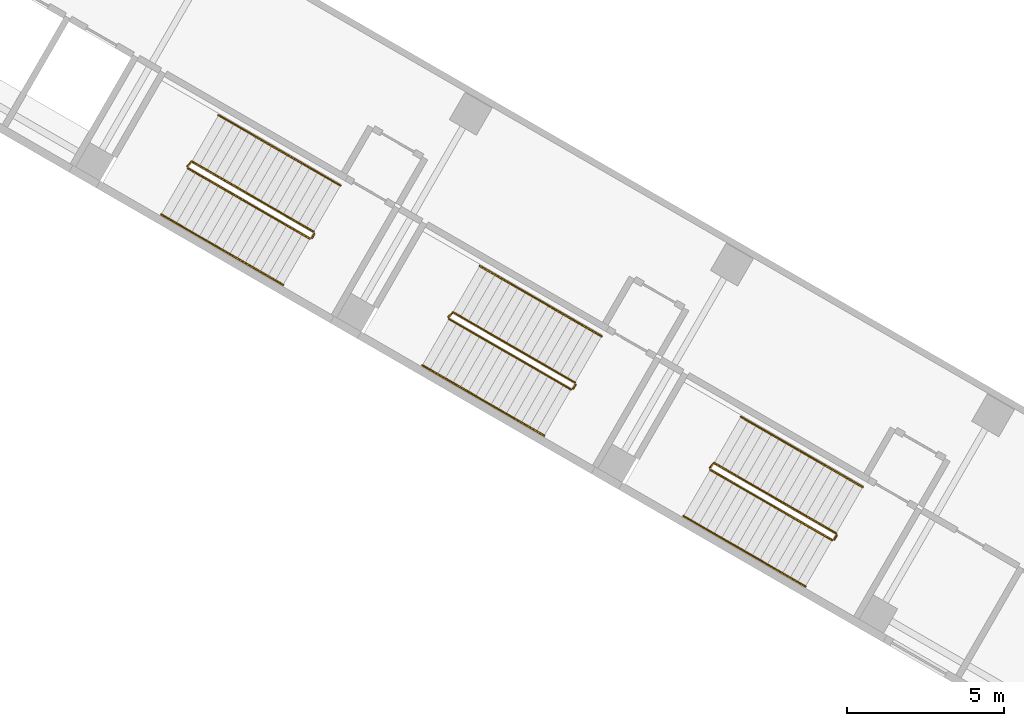
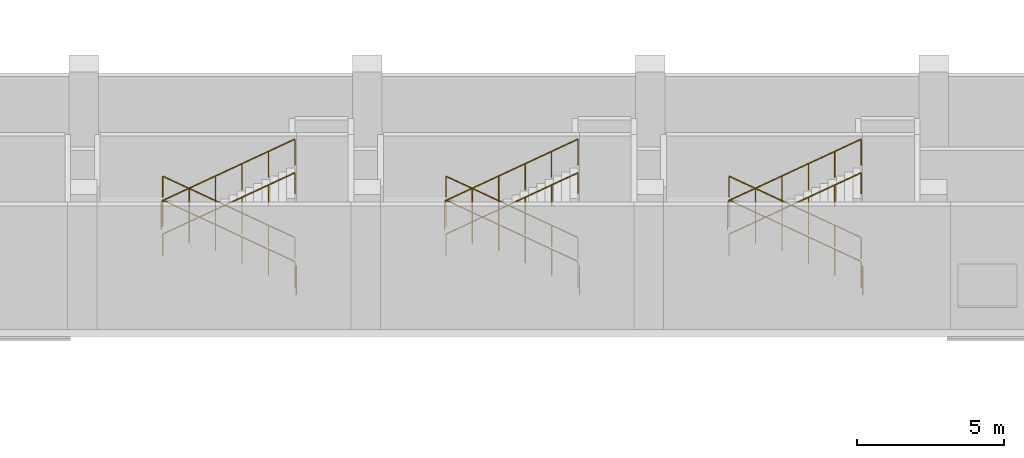
# One storey, part 26 of 35: 15 railings.
"""IFC4 building model written with IfcOpenShell, lengths in metres."""

from ifc_helpers import new_model, si_unit, direction, frame, origin, origin_2d, place, context, subcontext, project, spatial, circle, extrude, material, type_object, element, save


model = new_model("IFC4")

# Units and contexts
model_context = context("Model", 3, precision=1e-05, world=origin(), true_north=direction((0.0, 1.0)))
body_context = subcontext(model_context, "Body", "Model", "MODEL_VIEW")
ifc_project = project(units=[si_unit("LENGTHUNIT", "METRE"), si_unit("AREAUNIT", "SQUARE_METRE"), si_unit("VOLUMEUNIT", "CUBIC_METRE"), si_unit("PLANEANGLEUNIT", "RADIAN"), si_unit("MASSUNIT", "GRAM", prefix="KILO")], contexts=[model_context])

# Site, building, storey
site_placement = place(None, origin())
site = spatial("IfcSite", under=ifc_project, at=site_placement, CompositionType="ELEMENT")
building_placement = place(site_placement, origin())
building = spatial("IfcBuilding", under=site, at=building_placement, Name="Mestral Congress Tower", CompositionType="ELEMENT")
storey_placement = place(building_placement, frame((0.0, 0.0, 6.0)))
storey = spatial("IfcBuildingStorey", under=building, at=storey_placement, Name="L01", CompositionType="ELEMENT", Elevation=6.0)

# Railings
ifc_material_1 = material(Name="Steel balustrade", Category="steel")
railing_type_1 = type_object("IfcRailingType", Name="Podium stair guard 1100", PredefinedType="GUARDRAIL", material=ifc_material_1)
railing_1_placement = place(storey_placement, frame((-51.764892578125, -13.703369140625, 0.158935546875)))
element("IfcRailing", 1, at=railing_1_placement, inside=storey, type_object=railing_type_1, Name="L01 PS-W4 stair guard 1", PredefinedType="GUARDRAIL", context=body_context, shape_type="SweptSolid", body=[
    extrude(circle(Radius=0.02392578125, at=origin_2d()), frame((0.0, 0.0, 1.076171875), z_axis=(-0.753299937478, 0.434906048726, 0.493351733531), x_axis=(-0.499989762656, -0.866031314237, 0.0)), (0.0, 0.0, 1.0), 5.150634765625),
    extrude(circle(Radius=0.02392578125, at=origin_2d()), frame((-3.8798828125, 2.239990234375, 3.6171875), z_axis=(-0.695164929852, -0.718850276695, 0.0), x_axis=(0.718850276695, -0.695164929852, 0.0)), (0.0, 0.0, 1.0), 0.2060546875),
    extrude(circle(Radius=0.02099609375, at=origin_2d()), origin(), (0.0, 0.0, 1.0), 1.052001953125),
    extrude(circle(Radius=0.02099609375, at=origin_2d()), frame((-0.77587890625, 0.447998046875, 0.50830078125)), (0.0, 0.0, 1.0), 1.052001953125),
    extrude(circle(Radius=0.02099609375, at=origin_2d()), frame((-1.552001953125, 0.89599609375, 1.016357421875)), (0.0, 0.0, 1.0), 1.052001953125),
    extrude(circle(Radius=0.02099609375, at=origin_2d()), frame((-2.327880859375, 1.343994140625, 1.524658203125)), (0.0, 0.0, 1.0), 1.052001953125),
    extrude(circle(Radius=0.02099609375, at=origin_2d()), frame((-3.10400390625, 1.7919921875, 2.03271484375)), (0.0, 0.0, 1.0), 1.052001953125),
    extrude(circle(Radius=0.02099609375, at=origin_2d()), frame((-3.8798828125, 2.239990234375, 2.541015625)), (0.0, 0.0, 1.0), 1.052001953125),
    extrude(circle(Radius=0.02099609375, at=origin_2d()), frame((-4.023193359375, 2.091796875, 2.541015625)), (0.0, 0.0, 1.0), 1.052001953125),
])
railing_2_placement = place(storey_placement, frame((-55.769775390625, -11.679931640625, 2.85888671875)))
element("IfcRailing", 2, at=railing_2_placement, inside=storey, type_object=railing_type_1, Name="L01 PS-W4 stair guard 2", PredefinedType="GUARDRAIL", context=body_context, shape_type="SweptSolid", body=[
    extrude(circle(Radius=0.02392578125, at=origin_2d()), frame((0.0, 0.0, 1.076171875), z_axis=(0.753299937478, -0.434906048726, 0.493351733531), x_axis=(0.499989762656, 0.866031314237, 0.0)), (0.0, 0.0, 1.0), 5.150634765625),
    extrude(circle(Radius=0.02099609375, at=origin_2d()), origin(), (0.0, 0.0, 1.0), 1.052001953125),
    extrude(circle(Radius=0.02099609375, at=origin_2d()), frame((0.77587890625, -0.447998046875, 0.50830078125)), (0.0, 0.0, 1.0), 1.052001953125),
    extrude(circle(Radius=0.02099609375, at=origin_2d()), frame((1.552001953125, -0.89599609375, 1.016357421875)), (0.0, 0.0, 1.0), 1.052001953125),
    extrude(circle(Radius=0.02099609375, at=origin_2d()), frame((2.327880859375, -1.343994140625, 1.524658203125)), (0.0, 0.0, 1.0), 1.052001953125),
    extrude(circle(Radius=0.02099609375, at=origin_2d()), frame((3.10400390625, -1.7919921875, 2.03271484375)), (0.0, 0.0, 1.0), 1.052001953125),
    extrude(circle(Radius=0.02099609375, at=origin_2d()), frame((3.8798828125, -2.239990234375, 2.541015625)), (0.0, 0.0, 1.0), 1.052001953125),
])
railing_3_placement = place(storey_placement, frame((-51.74658203125, -13.771728515625, 0.0)))
element("IfcRailing", 3, at=railing_3_placement, inside=storey, type_object=railing_type_1, Name="L01 PS-W4 stair guard 3", PredefinedType="GUARDRAIL", context=body_context, shape_type="SweptSolid", body=[
    extrude(circle(Radius=0.02392578125, at=origin_2d()), frame((0.0, 0.0, 1.076171875), z_axis=(-0.499816412211, -0.866131372301, 0.0), x_axis=(0.866131372301, -0.499816412211, 0.0)), (0.0, 0.0, 1.0), 0.14990234375),
    extrude(circle(Radius=0.02099609375, at=origin_2d()), origin(), (0.0, 0.0, 1.0), 1.052001953125),
    extrude(circle(Radius=0.02099609375, at=origin_2d()), frame((-0.074951171875, -0.1298828125, 0.0)), (0.0, 0.0, 1.0), 1.052001953125),
])
railing_4_placement = place(storey_placement, frame((-60.078857421875, -8.903564453125, 0.158935546875)))
element("IfcRailing", 4, at=railing_4_placement, inside=storey, type_object=railing_type_1, Name="L01 PS-W5 stair guard 1", PredefinedType="GUARDRAIL", context=body_context, shape_type="SweptSolid", body=[
    extrude(circle(Radius=0.02392578125, at=origin_2d()), frame((0.0, 0.0, 1.076171875), z_axis=(-0.753263903117, 0.43496001353, 0.49335917838), x_axis=(-0.500054230829, -0.865994091337, 0.0)), (0.0, 0.0, 1.0), 5.150390625),
    extrude(circle(Radius=0.02392578125, at=origin_2d()), frame((-3.879638671875, 2.240234375, 3.6171875), z_axis=(-0.694573396767, -0.719421848781, 0.0), x_axis=(0.719421848781, -0.694573396767, 0.0)), (0.0, 0.0, 1.0), 0.206298828125),
    extrude(circle(Radius=0.02099609375, at=origin_2d()), origin(), (0.0, 0.0, 1.0), 1.052001953125),
    extrude(circle(Radius=0.02099609375, at=origin_2d()), frame((-0.77587890625, 0.447998046875, 0.50830078125)), (0.0, 0.0, 1.0), 1.052001953125),
    extrude(circle(Radius=0.02099609375, at=origin_2d()), frame((-1.5517578125, 0.89599609375, 1.016357421875)), (0.0, 0.0, 1.0), 1.052001953125),
    extrude(circle(Radius=0.02099609375, at=origin_2d()), frame((-2.327880859375, 1.34423828125, 1.524658203125)), (0.0, 0.0, 1.0), 1.052001953125),
    extrude(circle(Radius=0.02099609375, at=origin_2d()), frame((-3.103759765625, 1.792236328125, 2.03271484375)), (0.0, 0.0, 1.0), 1.052001953125),
    extrude(circle(Radius=0.02099609375, at=origin_2d()), frame((-3.879638671875, 2.240234375, 2.541015625)), (0.0, 0.0, 1.0), 1.052001953125),
    extrude(circle(Radius=0.02099609375, at=origin_2d()), frame((-4.02294921875, 2.091796875, 2.541015625)), (0.0, 0.0, 1.0), 1.052001953125),
])
railing_5_placement = place(storey_placement, frame((-64.08349609375, -6.8798828125, 2.85888671875)))
element("IfcRailing", 5, at=railing_5_placement, inside=storey, type_object=railing_type_1, Name="L01 PS-W5 stair guard 2", PredefinedType="GUARDRAIL", context=body_context, shape_type="SweptSolid", body=[
    extrude(circle(Radius=0.02392578125, at=origin_2d()), frame((0.0, 0.0, 1.076171875), z_axis=(0.7532794335, -0.434921578401, 0.49336935019), x_axis=(0.500013360201, 0.866017690131, 0.0)), (0.0, 0.0, 1.0), 5.150390625),
    extrude(circle(Radius=0.02099609375, at=origin_2d()), origin(), (0.0, 0.0, 1.0), 1.052001953125),
    extrude(circle(Radius=0.02099609375, at=origin_2d()), frame((0.77587890625, -0.447998046875, 0.50830078125)), (0.0, 0.0, 1.0), 1.052001953125),
    extrude(circle(Radius=0.02099609375, at=origin_2d()), frame((1.5517578125, -0.89599609375, 1.016357421875)), (0.0, 0.0, 1.0), 1.052001953125),
    extrude(circle(Radius=0.02099609375, at=origin_2d()), frame((2.327880859375, -1.343994140625, 1.524658203125)), (0.0, 0.0, 1.0), 1.052001953125),
    extrude(circle(Radius=0.02099609375, at=origin_2d()), frame((3.103759765625, -1.7919921875, 2.03271484375)), (0.0, 0.0, 1.0), 1.052001953125),
    extrude(circle(Radius=0.02099609375, at=origin_2d()), frame((3.879638671875, -2.239990234375, 2.541015625)), (0.0, 0.0, 1.0), 1.052001953125),
])
railing_6_placement = place(storey_placement, frame((-60.060546875, -8.9716796875, 0.0)))
element("IfcRailing", 6, at=railing_6_placement, inside=storey, type_object=railing_type_1, Name="L01 PS-W5 stair guard 3", PredefinedType="GUARDRAIL", context=body_context, shape_type="SweptSolid", body=[
    extrude(circle(Radius=0.02392578125, at=origin_2d()), frame((0.0, 0.0, 1.076171875), z_axis=(-0.499816412211, -0.866131372301, 0.0), x_axis=(0.866131372301, -0.499816412211, 0.0)), (0.0, 0.0, 1.0), 0.14990234375),
    extrude(circle(Radius=0.02099609375, at=origin_2d()), origin(), (0.0, 0.0, 1.0), 1.052001953125),
    extrude(circle(Radius=0.02099609375, at=origin_2d()), frame((-0.074951171875, -0.1298828125, 0.0)), (0.0, 0.0, 1.0), 1.052001953125),
])
railing_7_placement = place(storey_placement, frame((-68.392578125, -4.103515625, 0.158935546875)))
element("IfcRailing", 7, at=railing_7_placement, inside=storey, type_object=railing_type_1, Name="L01 PS-W6 stair guard 1", PredefinedType="GUARDRAIL", context=body_context, shape_type="SweptSolid", body=[
    extrude(circle(Radius=0.02392578125, at=origin_2d()), frame((0.0, 0.0, 1.076171875), z_axis=(-0.753299937478, 0.434906048726, 0.493351733531), x_axis=(-0.499989762656, -0.866031314237, 0.0)), (0.0, 0.0, 1.0), 5.150634765625),
    extrude(circle(Radius=0.02392578125, at=origin_2d()), frame((-3.8798828125, 2.239990234375, 3.6171875), z_axis=(-0.694552208452, -0.71944230466, 0.0), x_axis=(0.71944230466, -0.694552208452, 0.0)), (0.0, 0.0, 1.0), 0.2060546875),
    extrude(circle(Radius=0.02099609375, at=origin_2d()), origin(), (0.0, 0.0, 1.0), 1.052001953125),
    extrude(circle(Radius=0.02099609375, at=origin_2d()), frame((-0.77587890625, 0.447998046875, 0.50830078125)), (0.0, 0.0, 1.0), 1.052001953125),
    extrude(circle(Radius=0.02099609375, at=origin_2d()), frame((-1.552001953125, 0.89599609375, 1.016357421875)), (0.0, 0.0, 1.0), 1.052001953125),
    extrude(circle(Radius=0.02099609375, at=origin_2d()), frame((-2.327880859375, 1.343994140625, 1.524658203125)), (0.0, 0.0, 1.0), 1.052001953125),
    extrude(circle(Radius=0.02099609375, at=origin_2d()), frame((-3.10400390625, 1.7919921875, 2.03271484375)), (0.0, 0.0, 1.0), 1.052001953125),
    extrude(circle(Radius=0.02099609375, at=origin_2d()), frame((-3.8798828125, 2.239990234375, 2.541015625)), (0.0, 0.0, 1.0), 1.052001953125),
    extrude(circle(Radius=0.02099609375, at=origin_2d()), frame((-4.02294921875, 2.091796875, 2.541015625)), (0.0, 0.0, 1.0), 1.052001953125),
])
railing_8_placement = place(storey_placement, frame((-72.3974609375, -2.079833984375, 2.85888671875)))
element("IfcRailing", 8, at=railing_8_placement, inside=storey, type_object=railing_type_1, Name="L01 PS-W6 stair guard 2", PredefinedType="GUARDRAIL", context=body_context, shape_type="SweptSolid", body=[
    extrude(circle(Radius=0.02392578125, at=origin_2d()), frame((0.0, 0.0, 1.076171875), z_axis=(0.75328440778, -0.434944483123, 0.49334156281), x_axis=(0.500030632641, 0.866007717299, 0.0)), (0.0, 0.0, 1.0), 5.150634765625),
    extrude(circle(Radius=0.02099609375, at=origin_2d()), origin(), (0.0, 0.0, 1.0), 1.052001953125),
    extrude(circle(Radius=0.02099609375, at=origin_2d()), frame((0.77587890625, -0.447998046875, 0.50830078125)), (0.0, 0.0, 1.0), 1.052001953125),
    extrude(circle(Radius=0.02099609375, at=origin_2d()), frame((1.552001953125, -0.89599609375, 1.016357421875)), (0.0, 0.0, 1.0), 1.052001953125),
    extrude(circle(Radius=0.02099609375, at=origin_2d()), frame((2.327880859375, -1.34423828125, 1.524658203125)), (0.0, 0.0, 1.0), 1.052001953125),
    extrude(circle(Radius=0.02099609375, at=origin_2d()), frame((3.10400390625, -1.792236328125, 2.03271484375)), (0.0, 0.0, 1.0), 1.052001953125),
    extrude(circle(Radius=0.02099609375, at=origin_2d()), frame((3.8798828125, -2.240234375, 2.541015625)), (0.0, 0.0, 1.0), 1.052001953125),
])
railing_9_placement = place(storey_placement, frame((-68.374267578125, -4.171630859375, 0.0)))
element("IfcRailing", 9, at=railing_9_placement, inside=storey, type_object=railing_type_1, Name="L01 PS-W6 stair guard 3", PredefinedType="GUARDRAIL", context=body_context, shape_type="SweptSolid", body=[
    extrude(circle(Radius=0.02392578125, at=origin_2d()), frame((0.0, 0.0, 1.076171875), z_axis=(-0.499112439033, -0.866537231285, 0.0), x_axis=(0.866537231285, -0.499112439033, 0.0)), (0.0, 0.0, 1.0), 0.150146484375),
    extrude(circle(Radius=0.02099609375, at=origin_2d()), origin(), (0.0, 0.0, 1.0), 1.052001953125),
    extrude(circle(Radius=0.02099609375, at=origin_2d()), frame((-0.074951171875, -0.130126953125, 0.0)), (0.0, 0.0, 1.0), 1.052001953125),
])
ifc_material_2 = material(Name="Steel handrail", Category="steel")
railing_type_2 = type_object("IfcRailingType", Name="Podium stair handrail 900", PredefinedType="HANDRAIL", material=ifc_material_2)
railing_10_placement = place(storey_placement, frame((-50.9150390625, -12.231201171875, 0.158935546875)))
element("IfcRailing", 10, at=railing_10_placement, inside=storey, type_object=railing_type_2, Name="L01 PS-W4 stair handrail 1", PredefinedType="HANDRAIL", context=body_context, shape_type="SweptSolid", body=[
    extrude(circle(Radius=0.02392578125, at=origin_2d()), frame((0.0, 0.0, 0.8759765625), z_axis=(-0.7532794335, 0.434921578401, 0.49336935019), x_axis=(-0.500013360201, -0.866017690131, 0.0)), (0.0, 0.0, 1.0), 5.150390625),
    extrude(circle(Radius=0.02099609375, at=origin_2d()), origin(), (0.0, 0.0, 1.0), 0.851806640625),
    extrude(circle(Radius=0.02099609375, at=origin_2d()), frame((-0.77587890625, 0.447998046875, 0.50830078125)), (0.0, 0.0, 1.0), 0.851806640625),
    extrude(circle(Radius=0.02099609375, at=origin_2d()), frame((-1.5517578125, 0.89599609375, 1.016357421875)), (0.0, 0.0, 1.0), 0.851806640625),
    extrude(circle(Radius=0.02099609375, at=origin_2d()), frame((-2.327880859375, 1.343994140625, 1.524658203125)), (0.0, 0.0, 1.0), 0.851806640625),
    extrude(circle(Radius=0.02099609375, at=origin_2d()), frame((-3.103759765625, 1.7919921875, 2.03271484375)), (0.0, 0.0, 1.0), 0.851806640625),
    extrude(circle(Radius=0.02099609375, at=origin_2d()), frame((-3.879638671875, 2.239990234375, 2.541015625)), (0.0, 0.0, 1.0), 0.851806640625),
])
railing_11_placement = place(storey_placement, frame((-56.61962890625, -13.152099609375, 2.85888671875)))
element("IfcRailing", 11, at=railing_11_placement, inside=storey, type_object=railing_type_2, Name="L01 PS-W4 stair handrail 2", PredefinedType="HANDRAIL", context=body_context, shape_type="SweptSolid", body=[
    extrude(circle(Radius=0.02392578125, at=origin_2d()), frame((0.0, 0.0, 0.8759765625), z_axis=(0.7532794335, -0.434921578401, 0.49336935019), x_axis=(0.500013360201, 0.866017690131, 0.0)), (0.0, 0.0, 1.0), 5.150390625),
    extrude(circle(Radius=0.02099609375, at=origin_2d()), origin(), (0.0, 0.0, 1.0), 0.851806640625),
    extrude(circle(Radius=0.02099609375, at=origin_2d()), frame((0.77587890625, -0.447998046875, 0.50830078125)), (0.0, 0.0, 1.0), 0.851806640625),
    extrude(circle(Radius=0.02099609375, at=origin_2d()), frame((1.5517578125, -0.89599609375, 1.016357421875)), (0.0, 0.0, 1.0), 0.851806640625),
    extrude(circle(Radius=0.02099609375, at=origin_2d()), frame((2.327880859375, -1.343994140625, 1.524658203125)), (0.0, 0.0, 1.0), 0.851806640625),
    extrude(circle(Radius=0.02099609375, at=origin_2d()), frame((3.103759765625, -1.7919921875, 2.03271484375)), (0.0, 0.0, 1.0), 0.851806640625),
    extrude(circle(Radius=0.02099609375, at=origin_2d()), frame((3.879638671875, -2.239990234375, 2.541015625)), (0.0, 0.0, 1.0), 0.851806640625),
])
railing_12_placement = place(storey_placement, frame((-59.228759765625, -7.43115234375, 0.158935546875)))
element("IfcRailing", 12, at=railing_12_placement, inside=storey, type_object=railing_type_2, Name="L01 PS-W5 stair handrail 1", PredefinedType="HANDRAIL", context=body_context, shape_type="SweptSolid", body=[
    extrude(circle(Radius=0.02392578125, at=origin_2d()), frame((0.0, 0.0, 0.8759765625), z_axis=(-0.753299937478, 0.434906048726, 0.493351733531), x_axis=(-0.499989762656, -0.866031314237, 0.0)), (0.0, 0.0, 1.0), 5.150634765625),
    extrude(circle(Radius=0.02099609375, at=origin_2d()), origin(), (0.0, 0.0, 1.0), 0.851806640625),
    extrude(circle(Radius=0.02099609375, at=origin_2d()), frame((-0.77587890625, 0.447998046875, 0.50830078125)), (0.0, 0.0, 1.0), 0.851806640625),
    extrude(circle(Radius=0.02099609375, at=origin_2d()), frame((-1.552001953125, 0.89599609375, 1.016357421875)), (0.0, 0.0, 1.0), 0.851806640625),
    extrude(circle(Radius=0.02099609375, at=origin_2d()), frame((-2.327880859375, 1.343994140625, 1.524658203125)), (0.0, 0.0, 1.0), 0.851806640625),
    extrude(circle(Radius=0.02099609375, at=origin_2d()), frame((-3.10400390625, 1.7919921875, 2.03271484375)), (0.0, 0.0, 1.0), 0.851806640625),
    extrude(circle(Radius=0.02099609375, at=origin_2d()), frame((-3.8798828125, 2.239990234375, 2.541015625)), (0.0, 0.0, 1.0), 0.851806640625),
])
railing_13_placement = place(storey_placement, frame((-64.93359375, -8.352294921875, 2.85888671875)))
element("IfcRailing", 13, at=railing_13_placement, inside=storey, type_object=railing_type_2, Name="L01 PS-W5 stair handrail 2", PredefinedType="HANDRAIL", context=body_context, shape_type="SweptSolid", body=[
    extrude(circle(Radius=0.02392578125, at=origin_2d()), frame((0.0, 0.0, 0.8759765625), z_axis=(0.753299937478, -0.434906048726, 0.493351733531), x_axis=(0.499989762656, 0.866031314237, 0.0)), (0.0, 0.0, 1.0), 5.150634765625),
    extrude(circle(Radius=0.02099609375, at=origin_2d()), origin(), (0.0, 0.0, 1.0), 0.851806640625),
    extrude(circle(Radius=0.02099609375, at=origin_2d()), frame((0.77587890625, -0.447998046875, 0.50830078125)), (0.0, 0.0, 1.0), 0.851806640625),
    extrude(circle(Radius=0.02099609375, at=origin_2d()), frame((1.552001953125, -0.89599609375, 1.016357421875)), (0.0, 0.0, 1.0), 0.851806640625),
    extrude(circle(Radius=0.02099609375, at=origin_2d()), frame((2.327880859375, -1.343994140625, 1.524658203125)), (0.0, 0.0, 1.0), 0.851806640625),
    extrude(circle(Radius=0.02099609375, at=origin_2d()), frame((3.10400390625, -1.7919921875, 2.03271484375)), (0.0, 0.0, 1.0), 0.851806640625),
    extrude(circle(Radius=0.02099609375, at=origin_2d()), frame((3.8798828125, -2.239990234375, 2.541015625)), (0.0, 0.0, 1.0), 0.851806640625),
])
railing_14_placement = place(storey_placement, frame((-67.54248046875, -2.631103515625, 0.158935546875)))
element("IfcRailing", 14, at=railing_14_placement, inside=storey, type_object=railing_type_2, Name="L01 PS-W6 stair handrail 1", PredefinedType="HANDRAIL", context=body_context, shape_type="SweptSolid", body=[
    extrude(circle(Radius=0.02392578125, at=origin_2d()), frame((0.0, 0.0, 0.8759765625), z_axis=(-0.753299937478, 0.434906048726, 0.493351733531), x_axis=(-0.499989762656, -0.866031314237, 0.0)), (0.0, 0.0, 1.0), 5.150634765625),
    extrude(circle(Radius=0.02099609375, at=origin_2d()), origin(), (0.0, 0.0, 1.0), 0.851806640625),
    extrude(circle(Radius=0.02099609375, at=origin_2d()), frame((-0.77587890625, 0.447998046875, 0.50830078125)), (0.0, 0.0, 1.0), 0.851806640625),
    extrude(circle(Radius=0.02099609375, at=origin_2d()), frame((-1.552001953125, 0.89599609375, 1.016357421875)), (0.0, 0.0, 1.0), 0.851806640625),
    extrude(circle(Radius=0.02099609375, at=origin_2d()), frame((-2.327880859375, 1.343994140625, 1.524658203125)), (0.0, 0.0, 1.0), 0.851806640625),
    extrude(circle(Radius=0.02099609375, at=origin_2d()), frame((-3.10400390625, 1.7919921875, 2.03271484375)), (0.0, 0.0, 1.0), 0.851806640625),
    extrude(circle(Radius=0.02099609375, at=origin_2d()), frame((-3.8798828125, 2.239990234375, 2.541015625)), (0.0, 0.0, 1.0), 0.851806640625),
])
railing_15_placement = place(storey_placement, frame((-73.247314453125, -3.55224609375, 2.85888671875)))
element("IfcRailing", 15, at=railing_15_placement, inside=storey, type_object=railing_type_2, Name="L01 PS-W6 stair handrail 2", PredefinedType="HANDRAIL", context=body_context, shape_type="SweptSolid", body=[
    extrude(circle(Radius=0.02392578125, at=origin_2d()), frame((0.0, 0.0, 0.8759765625), z_axis=(0.753299937478, -0.434906048726, 0.493351733531), x_axis=(0.499989762656, 0.866031314237, 0.0)), (0.0, 0.0, 1.0), 5.150634765625),
    extrude(circle(Radius=0.02099609375, at=origin_2d()), origin(), (0.0, 0.0, 1.0), 0.851806640625),
    extrude(circle(Radius=0.02099609375, at=origin_2d()), frame((0.77587890625, -0.447998046875, 0.50830078125)), (0.0, 0.0, 1.0), 0.851806640625),
    extrude(circle(Radius=0.02099609375, at=origin_2d()), frame((1.552001953125, -0.89599609375, 1.016357421875)), (0.0, 0.0, 1.0), 0.851806640625),
    extrude(circle(Radius=0.02099609375, at=origin_2d()), frame((2.327880859375, -1.343994140625, 1.524658203125)), (0.0, 0.0, 1.0), 0.851806640625),
    extrude(circle(Radius=0.02099609375, at=origin_2d()), frame((3.10400390625, -1.7919921875, 2.03271484375)), (0.0, 0.0, 1.0), 0.851806640625),
    extrude(circle(Radius=0.02099609375, at=origin_2d()), frame((3.8798828125, -2.239990234375, 2.541015625)), (0.0, 0.0, 1.0), 0.851806640625),
])

save(model, "model.ifc")
